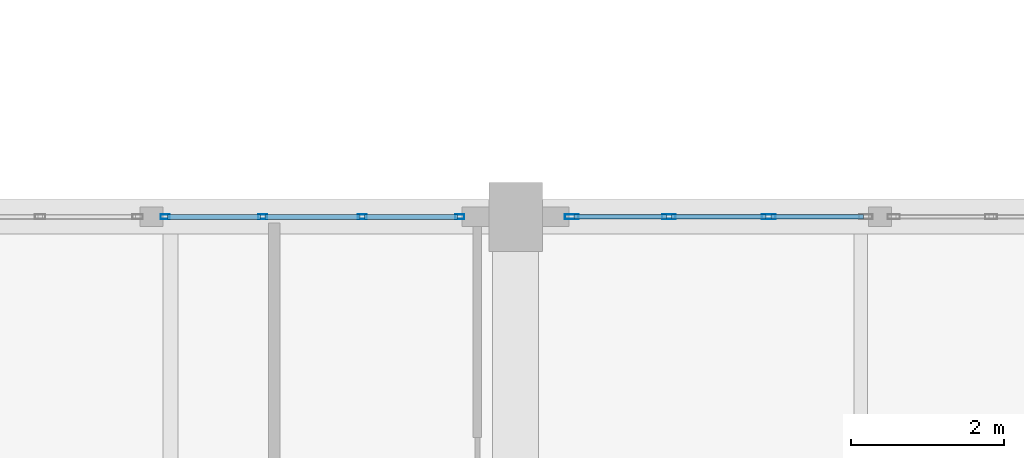
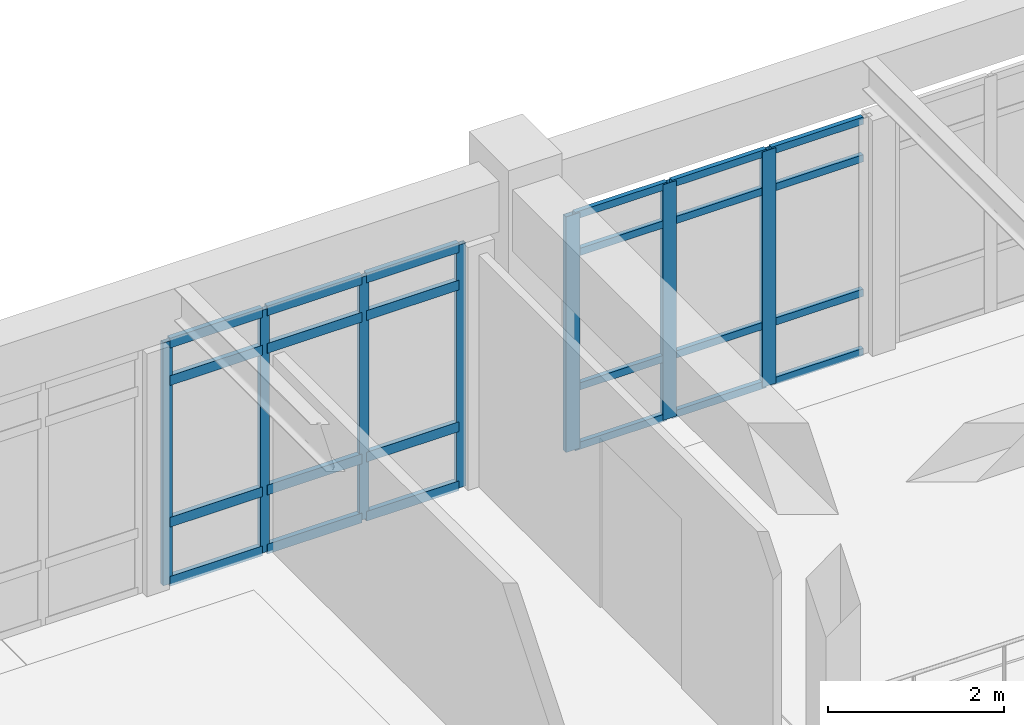
# One storey, part 21 of 80: 31 members, 2 elements without a shape of their own.
"""IFC4 building model written with IfcOpenShell, lengths in metres."""

from ifc_helpers import new_model, si_unit, direction, frame, origin, origin_2d, place, context, subcontext, project, spatial, hollow_rectangle, extrude, material, layer, layer_set, material_profile, profile_set, type_object, element, aggregate, save


model = new_model("IFC4")

# Units and contexts
model_context = context("Model", 3, precision=1e-05, world=origin(), true_north=direction((0.0, 1.0)))
body_context = subcontext(model_context, "Body", "Model", "MODEL_VIEW")
ifc_project = project(units=[si_unit("LENGTHUNIT", "METRE"), si_unit("AREAUNIT", "SQUARE_METRE"), si_unit("VOLUMEUNIT", "CUBIC_METRE"), si_unit("PLANEANGLEUNIT", "RADIAN"), si_unit("MASSUNIT", "GRAM", prefix="KILO")], contexts=[model_context])

# Site, building, storey
site_placement = place(None, origin())
site = spatial("IfcSite", under=ifc_project, at=site_placement, CompositionType="ELEMENT")
building_placement = place(site_placement, origin())
building = spatial("IfcBuilding", under=site, at=building_placement, Name="Fikremerkos Civic Library", CompositionType="ELEMENT")
storey_placement = place(building_placement, frame((0.0, 0.0, 9.89990234375)))
storey = spatial("IfcBuildingStorey", under=building, at=storey_placement, Name="L02", CompositionType="ELEMENT", Elevation=9.89990234375)

# Curtain wall, members
ifc_material = material(Name="Anodized aluminium Frame", Category="aluminium")
ifc_layer_1 = layer(ifc_material, 0.159912109375, Name="Anodized aluminium Frame")
ifc_layer_set_1 = layer_set([ifc_layer_1], Name="Anodized aluminium Frame")
curtain_wall_type_1 = type_object("IfcCurtainWallType", Name="Unitised curtain wall CW-13 3700x3200", PredefinedType="USERDEFINED", material=ifc_layer_set_1)
curtain_wall_1_placement = place(storey_placement, origin())
curtain_wall_1 = element("IfcCurtainWall", 1, at=curtain_wall_1_placement, inside=storey, type_object=curtain_wall_type_1, Name="Unitised curtain wall CW-13 L02 #157", ObjectType="UNITISED CURTAIN WALL", PredefinedType="USERDEFINED")
ifc_material_profile_1 = material_profile(ifc_material, hollow_rectangle(XDim=0.06494140625, YDim=0.179931640625, WallThickness=0.00439453125, at=origin_2d()), Name="ALU 180x65x4.5")
ifc_profile_set_1 = profile_set([ifc_material_profile_1], Name="Anodized aluminium Frame")
member_type_1 = type_object("IfcMemberType", Name="Curtain mullion CWM-01 ALU 180x65x4.5", PredefinedType="MULLION", material=ifc_profile_set_1)
member_1_placement = place(storey_placement, frame((60.430419921875, 48.0, 0.0), z_axis=(0.0, 0.0, 1.0), x_axis=(0.0, 1.0, 0.0)))
member_1 = element("IfcMember", 2, at=member_1_placement, type_object=member_type_1, Name="CW-13 mullion 1", PredefinedType="MULLION", context=body_context, shape_type="SweptSolid", body=[
    extrude(hollow_rectangle(XDim=0.06494140625, YDim=0.179931640625, WallThickness=0.00439453125, at=origin_2d()), origin(), (0.0, 0.0, 1.0), 3.260009765625),
])
member_2_placement = place(storey_placement, frame((61.698486328125, 48.0, 0.0), z_axis=(0.0, 0.0, 1.0), x_axis=(0.0, 1.0, 0.0)))
member_2 = element("IfcMember", 3, at=member_2_placement, type_object=member_type_1, Name="CW-13 mullion 2", PredefinedType="MULLION", context=body_context, shape_type="SweptSolid", body=[
    extrude(hollow_rectangle(XDim=0.06494140625, YDim=0.179931640625, WallThickness=0.00439453125, at=origin_2d()), origin(), (0.0, 0.0, 1.0), 3.260009765625),
])
member_3_placement = place(storey_placement, frame((62.998779296875, 48.0, 0.0), z_axis=(0.0, 0.0, 1.0), x_axis=(0.0, 1.0, 0.0)))
member_3 = element("IfcMember", 4, at=member_3_placement, type_object=member_type_1, Name="CW-13 mullion 3", PredefinedType="MULLION", context=body_context, shape_type="SweptSolid", body=[
    extrude(hollow_rectangle(XDim=0.06494140625, YDim=0.179931640625, WallThickness=0.00439453125, at=origin_2d()), origin(), (0.0, 0.0, 1.0), 3.260009765625),
])

ifc_layer_2 = layer(ifc_material, 0.159912109375, Name="Anodized aluminium Frame")
ifc_layer_set_2 = layer_set([ifc_layer_2], Name="Anodized aluminium Frame")
curtain_wall_type_2 = type_object("IfcCurtainWallType", Name="Unitised curtain wall CW-12 4300x3400", PredefinedType="USERDEFINED", material=ifc_layer_set_2)
curtain_wall_2_placement = place(storey_placement, origin())
curtain_wall_2 = element("IfcCurtainWall", 5, at=curtain_wall_2_placement, inside=storey, type_object=curtain_wall_type_2, Name="Unitised curtain wall CW-12 L02 #156", ObjectType="UNITISED CURTAIN WALL", PredefinedType="USERDEFINED")
ifc_material_profile_2 = material_profile(ifc_material, hollow_rectangle(XDim=0.06005859375, YDim=0.1201171875, WallThickness=0.00390625, at=origin_2d()), Name="ALU 120x60x4")
ifc_profile_set_2 = profile_set([ifc_material_profile_2], Name="Anodized aluminium Frame")
member_type_2 = type_object("IfcMemberType", Name="Curtain mullion CWM-04 ALU 120x60x4", PredefinedType="MULLION", material=ifc_profile_set_2)
member_4_placement = place(storey_placement, frame((55.130615234375, 48.0, 0.0), z_axis=(0.0, 0.0, 1.0), x_axis=(0.0, 1.0, 0.0)))
member_4 = element("IfcMember", 6, at=member_4_placement, type_object=member_type_2, Name="CW-12 mullion 1", PredefinedType="MULLION", context=body_context, shape_type="SweptSolid", body=[
    extrude(hollow_rectangle(XDim=0.06005859375, YDim=0.1201171875, WallThickness=0.00390625, at=origin_2d()), origin(), (0.0, 0.0, 1.0), 3.360107421875),
])
member_5_placement = place(storey_placement, frame((56.401123046875, 48.0, 0.0), z_axis=(0.0, 0.0, 1.0), x_axis=(0.0, 1.0, 0.0)))
member_5 = element("IfcMember", 7, at=member_5_placement, type_object=member_type_2, Name="CW-12 mullion 2", PredefinedType="MULLION", context=body_context, shape_type="SweptSolid", body=[
    extrude(hollow_rectangle(XDim=0.06005859375, YDim=0.1201171875, WallThickness=0.00390625, at=origin_2d()), origin(), (0.0, 0.0, 1.0), 3.360107421875),
])
member_6_placement = place(storey_placement, frame((57.70166015625, 48.0, 0.0), z_axis=(0.0, 0.0, 1.0), x_axis=(0.0, 1.0, 0.0)))
member_6 = element("IfcMember", 8, at=member_6_placement, type_object=member_type_2, Name="CW-12 mullion 3", PredefinedType="MULLION", context=body_context, shape_type="SweptSolid", body=[
    extrude(hollow_rectangle(XDim=0.06005859375, YDim=0.1201171875, WallThickness=0.00390625, at=origin_2d()), origin(), (0.0, 0.0, 1.0), 3.360107421875),
])
member_7_placement = place(storey_placement, frame((58.971923828125, 48.0, 0.0), z_axis=(0.0, 0.0, 1.0), x_axis=(0.0, 1.0, 0.0)))
member_7 = element("IfcMember", 9, at=member_7_placement, type_object=member_type_2, Name="CW-12 mullion 4", PredefinedType="MULLION", context=body_context, shape_type="SweptSolid", body=[
    extrude(hollow_rectangle(XDim=0.06005859375, YDim=0.1201171875, WallThickness=0.00390625, at=origin_2d()), origin(), (0.0, 0.0, 1.0), 3.360107421875),
])
ifc_material_profile_3 = material_profile(ifc_material, hollow_rectangle(XDim=0.06494140625, YDim=0.135009765625, WallThickness=0.00439453125, at=origin_2d()), Name="ALU 135x65x4.5")
ifc_profile_set_3 = profile_set([ifc_material_profile_3], Name="Anodized aluminium Frame")
member_type_3 = type_object("IfcMemberType", Name="Curtain transom CWT-02 ALU 135x65x4.5", PredefinedType="USERDEFINED", material=ifc_profile_set_3)
member_8_placement = place(storey_placement, frame((55.16064453125, 48.0, 0.03271484375), z_axis=(1.0, 0.0, 0.0), x_axis=(0.0, 1.0, 0.0)))
member_8 = element("IfcMember", 10, at=member_8_placement, type_object=member_type_3, Name="CW-12 transom 1.1", ObjectType="TRANSOM", PredefinedType="USERDEFINED", context=body_context, shape_type="SweptSolid", body=[
    extrude(hollow_rectangle(XDim=0.06494140625, YDim=0.135009765625, WallThickness=0.00439453125, at=origin_2d()), origin(), (0.0, 0.0, 1.0), 1.21044921875),
])
member_9_placement = place(storey_placement, frame((55.16064453125, 48.0, 0.85009765625), z_axis=(1.0, 0.0, 0.0), x_axis=(0.0, 1.0, 0.0)))
member_9 = element("IfcMember", 11, at=member_9_placement, type_object=member_type_3, Name="CW-12 transom 1.2", ObjectType="TRANSOM", PredefinedType="USERDEFINED", context=body_context, shape_type="SweptSolid", body=[
    extrude(hollow_rectangle(XDim=0.06494140625, YDim=0.135009765625, WallThickness=0.00439453125, at=origin_2d()), origin(), (0.0, 0.0, 1.0), 1.21044921875),
])
member_10_placement = place(storey_placement, frame((55.16064453125, 48.0, 2.81005859375), z_axis=(1.0, 0.0, 0.0), x_axis=(0.0, 1.0, 0.0)))
member_10 = element("IfcMember", 12, at=member_10_placement, type_object=member_type_3, Name="CW-12 transom 1.3", ObjectType="TRANSOM", PredefinedType="USERDEFINED", context=body_context, shape_type="SweptSolid", body=[
    extrude(hollow_rectangle(XDim=0.06494140625, YDim=0.135009765625, WallThickness=0.00439453125, at=origin_2d()), origin(), (0.0, 0.0, 1.0), 1.21044921875),
])
member_11_placement = place(storey_placement, frame((55.16064453125, 48.0, 3.32763671875), z_axis=(1.0, 0.0, 0.0), x_axis=(0.0, 1.0, 0.0)))
member_11 = element("IfcMember", 13, at=member_11_placement, type_object=member_type_3, Name="CW-12 transom 1.4", ObjectType="TRANSOM", PredefinedType="USERDEFINED", context=body_context, shape_type="SweptSolid", body=[
    extrude(hollow_rectangle(XDim=0.06494140625, YDim=0.135009765625, WallThickness=0.00439453125, at=origin_2d()), origin(), (0.0, 0.0, 1.0), 1.21044921875),
])
member_12_placement = place(storey_placement, frame((56.43115234375, 48.0, 0.03271484375), z_axis=(1.0, 0.0, 0.0), x_axis=(0.0, 1.0, 0.0)))
member_12 = element("IfcMember", 14, at=member_12_placement, type_object=member_type_3, Name="CW-12 transom 2.1", ObjectType="TRANSOM", PredefinedType="USERDEFINED", context=body_context, shape_type="SweptSolid", body=[
    extrude(hollow_rectangle(XDim=0.06494140625, YDim=0.135009765625, WallThickness=0.00439453125, at=origin_2d()), origin(), (0.0, 0.0, 1.0), 1.240478515625),
])
member_13_placement = place(storey_placement, frame((56.43115234375, 48.0, 0.85009765625), z_axis=(1.0, 0.0, 0.0), x_axis=(0.0, 1.0, 0.0)))
member_13 = element("IfcMember", 15, at=member_13_placement, type_object=member_type_3, Name="CW-12 transom 2.2", ObjectType="TRANSOM", PredefinedType="USERDEFINED", context=body_context, shape_type="SweptSolid", body=[
    extrude(hollow_rectangle(XDim=0.06494140625, YDim=0.135009765625, WallThickness=0.00439453125, at=origin_2d()), origin(), (0.0, 0.0, 1.0), 1.240478515625),
])
member_14_placement = place(storey_placement, frame((56.43115234375, 48.0, 2.81005859375), z_axis=(1.0, 0.0, 0.0), x_axis=(0.0, 1.0, 0.0)))
member_14 = element("IfcMember", 16, at=member_14_placement, type_object=member_type_3, Name="CW-12 transom 2.3", ObjectType="TRANSOM", PredefinedType="USERDEFINED", context=body_context, shape_type="SweptSolid", body=[
    extrude(hollow_rectangle(XDim=0.06494140625, YDim=0.135009765625, WallThickness=0.00439453125, at=origin_2d()), origin(), (0.0, 0.0, 1.0), 1.240478515625),
])
member_15_placement = place(storey_placement, frame((56.43115234375, 48.0, 3.32763671875), z_axis=(1.0, 0.0, 0.0), x_axis=(0.0, 1.0, 0.0)))
member_15 = element("IfcMember", 17, at=member_15_placement, type_object=member_type_3, Name="CW-12 transom 2.4", ObjectType="TRANSOM", PredefinedType="USERDEFINED", context=body_context, shape_type="SweptSolid", body=[
    extrude(hollow_rectangle(XDim=0.06494140625, YDim=0.135009765625, WallThickness=0.00439453125, at=origin_2d()), origin(), (0.0, 0.0, 1.0), 1.240478515625),
])
member_16_placement = place(storey_placement, frame((57.7314453125, 48.0, 0.03271484375), z_axis=(1.0, 0.0, 0.0), x_axis=(0.0, 1.0, 0.0)))
member_16 = element("IfcMember", 18, at=member_16_placement, type_object=member_type_3, Name="CW-12 transom 3.1", ObjectType="TRANSOM", PredefinedType="USERDEFINED", context=body_context, shape_type="SweptSolid", body=[
    extrude(hollow_rectangle(XDim=0.06494140625, YDim=0.135009765625, WallThickness=0.00439453125, at=origin_2d()), origin(), (0.0, 0.0, 1.0), 1.21044921875),
])
member_17_placement = place(storey_placement, frame((57.7314453125, 48.0, 0.85009765625), z_axis=(1.0, 0.0, 0.0), x_axis=(0.0, 1.0, 0.0)))
member_17 = element("IfcMember", 19, at=member_17_placement, type_object=member_type_3, Name="CW-12 transom 3.2", ObjectType="TRANSOM", PredefinedType="USERDEFINED", context=body_context, shape_type="SweptSolid", body=[
    extrude(hollow_rectangle(XDim=0.06494140625, YDim=0.135009765625, WallThickness=0.00439453125, at=origin_2d()), origin(), (0.0, 0.0, 1.0), 1.21044921875),
])
member_18_placement = place(storey_placement, frame((57.7314453125, 48.0, 2.81005859375), z_axis=(1.0, 0.0, 0.0), x_axis=(0.0, 1.0, 0.0)))
member_18 = element("IfcMember", 20, at=member_18_placement, type_object=member_type_3, Name="CW-12 transom 3.3", ObjectType="TRANSOM", PredefinedType="USERDEFINED", context=body_context, shape_type="SweptSolid", body=[
    extrude(hollow_rectangle(XDim=0.06494140625, YDim=0.135009765625, WallThickness=0.00439453125, at=origin_2d()), origin(), (0.0, 0.0, 1.0), 1.21044921875),
])
member_19_placement = place(storey_placement, frame((57.7314453125, 48.0, 3.32763671875), z_axis=(1.0, 0.0, 0.0), x_axis=(0.0, 1.0, 0.0)))
member_19 = element("IfcMember", 21, at=member_19_placement, type_object=member_type_3, Name="CW-12 transom 3.4", ObjectType="TRANSOM", PredefinedType="USERDEFINED", context=body_context, shape_type="SweptSolid", body=[
    extrude(hollow_rectangle(XDim=0.06494140625, YDim=0.135009765625, WallThickness=0.00439453125, at=origin_2d()), origin(), (0.0, 0.0, 1.0), 1.21044921875),
])
aggregate(curtain_wall_2, [member_4, member_5, member_6, member_7, member_8, member_9, member_10, member_11, member_12, member_13, member_14, member_15, member_16, member_17, member_18, member_19])

# Member
ifc_material_profile_4 = material_profile(ifc_material, hollow_rectangle(XDim=0.06005859375, YDim=0.10009765625, WallThickness=0.00390625, at=origin_2d()), Name="ALU 100x60x4")
ifc_profile_set_4 = profile_set([ifc_material_profile_4], Name="Anodized aluminium Frame")
member_type_4 = type_object("IfcMemberType", Name="Curtain transom CWT-03 ALU 100x60x4", PredefinedType="USERDEFINED", material=ifc_profile_set_4)
member_20_placement = place(storey_placement, frame((60.462890625, 48.0, 0.030029296875), z_axis=(1.0, 0.0, 0.0), x_axis=(0.0, 1.0, 0.0)))
member_20 = element("IfcMember", 22, at=member_20_placement, type_object=member_type_4, Name="CW-13 transom 1.1", ObjectType="TRANSOM", PredefinedType="USERDEFINED", context=body_context, shape_type="SweptSolid", body=[
    extrude(hollow_rectangle(XDim=0.06005859375, YDim=0.10009765625, WallThickness=0.00390625, at=origin_2d()), origin(), (0.0, 0.0, 1.0), 1.203125),
])

member_21_placement = place(storey_placement, frame((60.462890625, 48.0, 0.85009765625), z_axis=(1.0, 0.0, 0.0), x_axis=(0.0, 1.0, 0.0)))
member_21 = element("IfcMember", 23, at=member_21_placement, type_object=member_type_4, Name="CW-13 transom 1.2", ObjectType="TRANSOM", PredefinedType="USERDEFINED", context=body_context, shape_type="SweptSolid", body=[
    extrude(hollow_rectangle(XDim=0.06005859375, YDim=0.10009765625, WallThickness=0.00390625, at=origin_2d()), origin(), (0.0, 0.0, 1.0), 1.203125),
])

member_22_placement = place(storey_placement, frame((60.462890625, 48.0, 2.710205078125), z_axis=(1.0, 0.0, 0.0), x_axis=(0.0, 1.0, 0.0)))
member_22 = element("IfcMember", 24, at=member_22_placement, type_object=member_type_4, Name="CW-13 transom 1.3", ObjectType="TRANSOM", PredefinedType="USERDEFINED", context=body_context, shape_type="SweptSolid", body=[
    extrude(hollow_rectangle(XDim=0.06005859375, YDim=0.10009765625, WallThickness=0.00390625, at=origin_2d()), origin(), (0.0, 0.0, 1.0), 1.203125),
])

member_23_placement = place(storey_placement, frame((60.462890625, 48.0, 3.22998046875), z_axis=(1.0, 0.0, 0.0), x_axis=(0.0, 1.0, 0.0)))
member_23 = element("IfcMember", 25, at=member_23_placement, type_object=member_type_4, Name="CW-13 transom 1.4", ObjectType="TRANSOM", PredefinedType="USERDEFINED", context=body_context, shape_type="SweptSolid", body=[
    extrude(hollow_rectangle(XDim=0.06005859375, YDim=0.10009765625, WallThickness=0.00390625, at=origin_2d()), origin(), (0.0, 0.0, 1.0), 1.203125),
])

member_24_placement = place(storey_placement, frame((61.73095703125, 48.0, 0.030029296875), z_axis=(1.0, 0.0, 0.0), x_axis=(0.0, 1.0, 0.0)))
member_24 = element("IfcMember", 26, at=member_24_placement, type_object=member_type_4, Name="CW-13 transom 2.1", ObjectType="TRANSOM", PredefinedType="USERDEFINED", context=body_context, shape_type="SweptSolid", body=[
    extrude(hollow_rectangle(XDim=0.06005859375, YDim=0.10009765625, WallThickness=0.00390625, at=origin_2d()), origin(), (0.0, 0.0, 1.0), 1.2353515625),
])

member_25_placement = place(storey_placement, frame((61.73095703125, 48.0, 0.85009765625), z_axis=(1.0, 0.0, 0.0), x_axis=(0.0, 1.0, 0.0)))
member_25 = element("IfcMember", 27, at=member_25_placement, type_object=member_type_4, Name="CW-13 transom 2.2", ObjectType="TRANSOM", PredefinedType="USERDEFINED", context=body_context, shape_type="SweptSolid", body=[
    extrude(hollow_rectangle(XDim=0.06005859375, YDim=0.10009765625, WallThickness=0.00390625, at=origin_2d()), origin(), (0.0, 0.0, 1.0), 1.2353515625),
])

member_26_placement = place(storey_placement, frame((61.73095703125, 48.0, 2.710205078125), z_axis=(1.0, 0.0, 0.0), x_axis=(0.0, 1.0, 0.0)))
member_26 = element("IfcMember", 28, at=member_26_placement, type_object=member_type_4, Name="CW-13 transom 2.3", ObjectType="TRANSOM", PredefinedType="USERDEFINED", context=body_context, shape_type="SweptSolid", body=[
    extrude(hollow_rectangle(XDim=0.06005859375, YDim=0.10009765625, WallThickness=0.00390625, at=origin_2d()), origin(), (0.0, 0.0, 1.0), 1.2353515625),
])

member_27_placement = place(storey_placement, frame((61.73095703125, 48.0, 3.22998046875), z_axis=(1.0, 0.0, 0.0), x_axis=(0.0, 1.0, 0.0)))
member_27 = element("IfcMember", 29, at=member_27_placement, type_object=member_type_4, Name="CW-13 transom 2.4", ObjectType="TRANSOM", PredefinedType="USERDEFINED", context=body_context, shape_type="SweptSolid", body=[
    extrude(hollow_rectangle(XDim=0.06005859375, YDim=0.10009765625, WallThickness=0.00390625, at=origin_2d()), origin(), (0.0, 0.0, 1.0), 1.2353515625),
])

member_28_placement = place(storey_placement, frame((63.031494140625, 48.0, 0.030029296875), z_axis=(1.0, 0.0, 0.0), x_axis=(0.0, 1.0, 0.0)))
member_28 = element("IfcMember", 30, at=member_28_placement, type_object=member_type_4, Name="CW-13 transom 3.1", ObjectType="TRANSOM", PredefinedType="USERDEFINED", context=body_context, shape_type="SweptSolid", body=[
    extrude(hollow_rectangle(XDim=0.06005859375, YDim=0.10009765625, WallThickness=0.00390625, at=origin_2d()), origin(), (0.0, 0.0, 1.0), 1.202880859375),
])

member_29_placement = place(storey_placement, frame((63.031494140625, 48.0, 0.85009765625), z_axis=(1.0, 0.0, 0.0), x_axis=(0.0, 1.0, 0.0)))
member_29 = element("IfcMember", 31, at=member_29_placement, type_object=member_type_4, Name="CW-13 transom 3.2", ObjectType="TRANSOM", PredefinedType="USERDEFINED", context=body_context, shape_type="SweptSolid", body=[
    extrude(hollow_rectangle(XDim=0.06005859375, YDim=0.10009765625, WallThickness=0.00390625, at=origin_2d()), origin(), (0.0, 0.0, 1.0), 1.202880859375),
])

member_30_placement = place(storey_placement, frame((63.031494140625, 48.0, 2.710205078125), z_axis=(1.0, 0.0, 0.0), x_axis=(0.0, 1.0, 0.0)))
member_30 = element("IfcMember", 32, at=member_30_placement, type_object=member_type_4, Name="CW-13 transom 3.3", ObjectType="TRANSOM", PredefinedType="USERDEFINED", context=body_context, shape_type="SweptSolid", body=[
    extrude(hollow_rectangle(XDim=0.06005859375, YDim=0.10009765625, WallThickness=0.00390625, at=origin_2d()), origin(), (0.0, 0.0, 1.0), 1.202880859375),
])

member_31_placement = place(storey_placement, frame((63.031494140625, 48.0, 3.22998046875), z_axis=(1.0, 0.0, 0.0), x_axis=(0.0, 1.0, 0.0)))
member_31 = element("IfcMember", 33, at=member_31_placement, type_object=member_type_4, Name="CW-13 transom 3.4", ObjectType="TRANSOM", PredefinedType="USERDEFINED", context=body_context, shape_type="SweptSolid", body=[
    extrude(hollow_rectangle(XDim=0.06005859375, YDim=0.10009765625, WallThickness=0.00390625, at=origin_2d()), origin(), (0.0, 0.0, 1.0), 1.202880859375),
])

aggregate(curtain_wall_1, [member_1, member_2, member_3, member_20, member_21, member_22, member_23, member_24, member_25, member_26, member_27, member_28, member_29, member_30, member_31])

save(model, "model.ifc")
